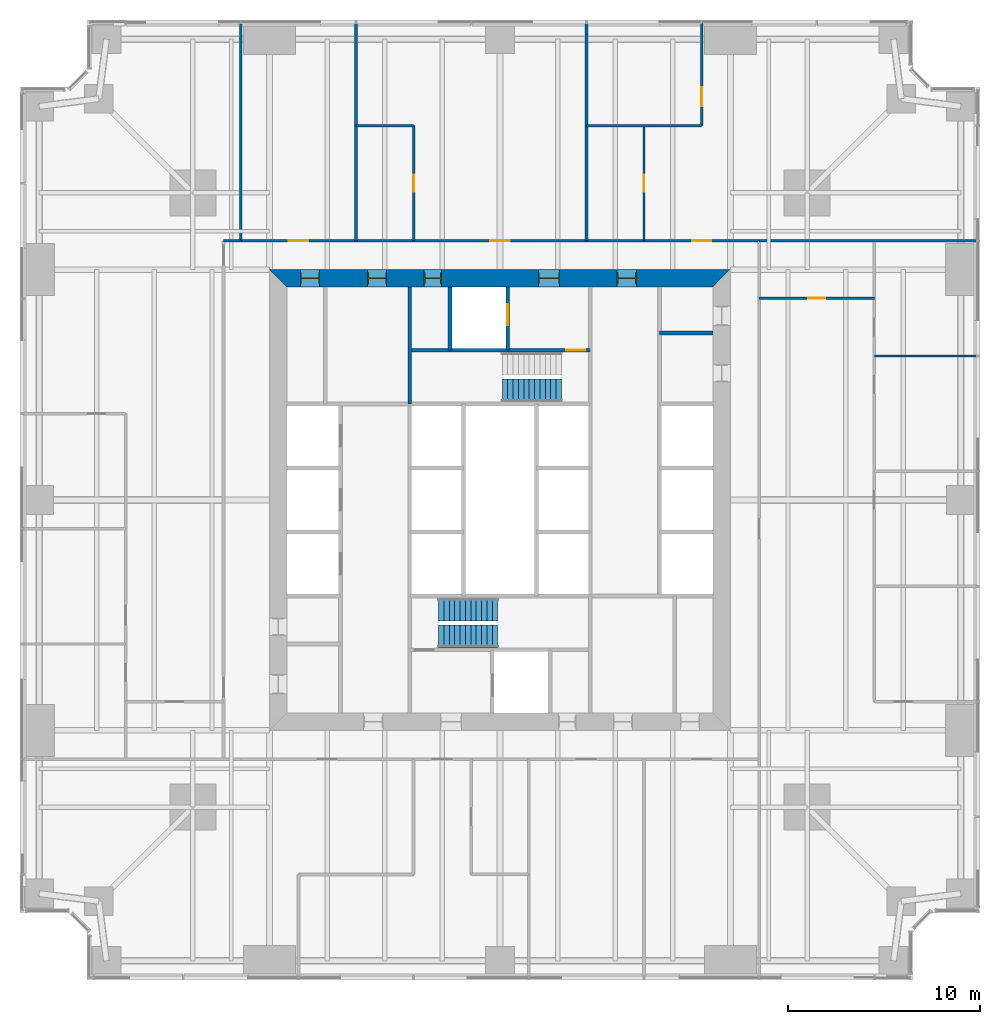
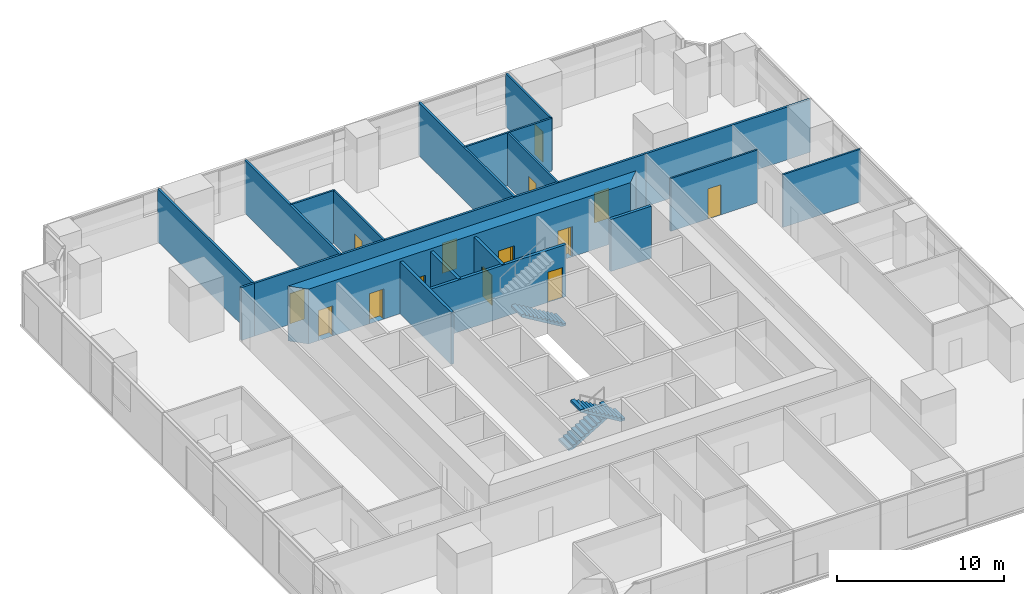
# One storey, part 11 of 14: 19 walls, 14 doors, 3 stair flights, 14 openings, 2 elements without a shape of their own.
"""IFC4 building model written with IfcOpenShell, lengths in metres."""

from ifc_helpers import new_model, si_unit, direction, frame, frame_2d, origin, place, context, subcontext, project, spatial, polyline, rectangle, outline, extrude, material, layer, layer_set, type_object, element, fill, aggregate, save


model = new_model("IFC4")

# Units and contexts
model_context = context("Model", 3, precision=1e-05, world=origin(), true_north=direction((0.0, 1.0)))
body_context = subcontext(model_context, "Body", "Model", "MODEL_VIEW")
ifc_project = project(units=[si_unit("LENGTHUNIT", "METRE"), si_unit("AREAUNIT", "SQUARE_METRE"), si_unit("VOLUMEUNIT", "CUBIC_METRE"), si_unit("PLANEANGLEUNIT", "RADIAN"), si_unit("MASSUNIT", "GRAM", prefix="KILO")], contexts=[model_context])

# Site, building, storey
site_placement = place(None, origin())
site = spatial("IfcSite", under=ifc_project, at=site_placement, CompositionType="ELEMENT")
building_placement = place(site_placement, origin())
building = spatial("IfcBuilding", under=site, at=building_placement, Name="Fenwick Lantern Interchange", CompositionType="ELEMENT")
storey_placement = place(building_placement, frame((0.0, 0.0, 35.0)))
storey = spatial("IfcBuildingStorey", under=building, at=storey_placement, Name="L07", CompositionType="ELEMENT", Elevation=35.0)

# Wall, opening, door
ifc_material_1 = material(Name="Concrete masonry ASTM C90 Grade N", Category="masonry")
ifc_layer_1 = layer(ifc_material_1, 0.199951171875)
ifc_layer_set_1 = layer_set([ifc_layer_1], Name="Concrete masonry ASTM C90 Grade N")
wall_type_1 = type_object("IfcWallType", Name="CORE PARTITION 200", PredefinedType="PARTITIONING", material=ifc_layer_set_1)
wall_1_placement = place(storey_placement, frame((25.39990234375, 36.10009765625, 0.0), z_axis=(0.0, 0.0, 1.0), x_axis=(0.0, -1.0, 0.0)))
wall_1 = element("IfcWall", 1, at=wall_1_placement, inside=storey, type_object=wall_type_1, Name="L07/W/COREN/h1", PredefinedType="PARTITIONING", context=body_context, shape_type="SweptSolid", body=[
    extrude(rectangle(XDim=3.300048828125, YDim=0.199951171875, at=frame_2d((1.64990234375, 0.0))), origin(), (0.0, 0.0, 1.0), 3.800048828125),
])
opening_1_placement = place(wall_1_placement, frame((0.89990234375, 0.0, 0.0)))
opening_1 = element("IfcOpeningElement", 2, at=opening_1_placement, cuts=wall_1, Name="Opening LD-FL2", PredefinedType="OPENING", context=body_context, shape_type="SweptSolid", body=[
    extrude(rectangle(XDim=1.10009765625, YDim=2.199951171875, at=frame_2d((0.550048828125, 1.10009765625))), frame((0.0, 0.10986328125, 0.0), z_axis=(0.0, -1.0, 0.0), x_axis=(1.0, 0.0, 0.0)), (0.0, 0.0, 1.0), 0.219970703125),
])
ifc_material_2 = material(Name="Steel door and frame", Category="steel")
door_type_1 = type_object("IfcDoorType", Name="LIFT LANDING DOOR 1100 X 2200", OperationType="DOUBLE_DOOR_SLIDING", PredefinedType="DOOR", material=ifc_material_2)
door_1_placement = place(opening_1_placement, origin())
door_1 = element("IfcDoor", 3, at=door_1_placement, inside=storey, type_object=door_type_1, Name="Lift landing door FL2", OperationType="DOUBLE_DOOR_SLIDING", OverallHeight=2.199951171875, OverallWidth=1.10009765625, PredefinedType="DOOR", context=body_context, shape_type="SweptSolid", body=[
    extrude(rectangle(XDim=1.10009765625, YDim=2.199951171875, at=frame_2d((0.550048828125, 1.10009765625))), frame((0.0, 0.02490234375, 0.0), z_axis=(0.0, -1.0, 0.0), x_axis=(1.0, 0.0, 0.0)), (0.0, 0.0, 1.0), 0.050048828125),
])
fill(opening_1, door_1)

# Walls
wall_2_placement = place(storey_placement, frame((22.39990234375, 36.10009765625, 0.0), z_axis=(0.0, 0.0, 1.0), x_axis=(0.0, -1.0, 0.0)))
element("IfcWall", 4, at=wall_2_placement, inside=storey, type_object=wall_type_1, Name="L07/W/COREN/h2", PredefinedType="PARTITIONING", context=body_context, shape_type="SweptSolid", body=[
    extrude(rectangle(XDim=3.300048828125, YDim=0.199951171875, at=frame_2d((1.64990234375, 0.0))), origin(), (0.0, 0.0, 1.0), 3.800048828125),
])
wall_3_placement = place(storey_placement, frame((36.10009765625, 33.699951171875, 0.0), z_axis=(0.0, 0.0, 1.0), x_axis=(-1.0, 0.0, 0.0)))
element("IfcWall", 5, at=wall_3_placement, inside=storey, type_object=wall_type_1, Name="L07/W/COREN/p1", PredefinedType="PARTITIONING", context=body_context, shape_type="SweptSolid", body=[
    extrude(rectangle(XDim=2.800048828125, YDim=0.199951171875, at=frame_2d((1.39990234375, 0.0))), origin(), (0.0, 0.0, 1.0), 3.800048828125),
])

# Wall, openings, doors
ifc_material_3 = material(Name="Concrete f'c 70 MPa", Category="concrete")
ifc_layer_2 = layer(ifc_material_3, 0.89990234375)
ifc_layer_set_2 = layer_set([ifc_layer_2], Name="CORE WALL 900")
wall_type_2 = type_object("IfcWallType", Name="CORE WALL 900", PredefinedType="SHEAR", material=ifc_layer_set_2)
wall_4_placement = place(storey_placement, frame((37.0, 36.550048828125, 0.0), z_axis=(0.0, 0.0, 1.0), x_axis=(-1.0, 0.0, 0.0)))
wall_4 = element("IfcWall", 6, at=wall_4_placement, inside=storey, type_object=wall_type_2, Name="L07/CORE/N", PredefinedType="SHEAR", context=body_context, shape_type="SweptSolid", body=[
    extrude(outline(polyline([(0.0, -0.449951171875), (24.0, -0.449951171875), (23.10009765625, 0.449951171875), (0.89990234375, 0.449951171875), (0.0, -0.449951171875)])), origin(), (0.0, 0.0, 1.0), 4.0),
])
opening_2_placement = place(wall_4_placement, frame((4.89990234375, 0.0, 0.0)))
opening_2 = element("IfcOpeningElement", 7, at=opening_2_placement, cuts=wall_4, Name="Opening L07-D009", PredefinedType="OPENING", context=body_context, shape_type="SweptSolid", body=[
    extrude(rectangle(XDim=1.0, YDim=2.199951171875, at=frame_2d((0.5, 1.10009765625))), frame((0.0, 0.4599609375, 0.0), z_axis=(0.0, -1.0, 0.0), x_axis=(1.0, 0.0, 0.0)), (0.0, 0.0, 1.0), 0.919921875),
])
opening_3_placement = place(wall_4_placement, frame((8.89990234375, 0.0, 0.0)))
opening_3 = element("IfcOpeningElement", 8, at=opening_3_placement, cuts=wall_4, Name="Opening L07-D010", PredefinedType="OPENING", context=body_context, shape_type="SweptSolid", body=[
    extrude(rectangle(XDim=1.10009765625, YDim=2.199951171875, at=frame_2d((0.550048828125, 1.10009765625))), frame((0.0, 0.4599609375, 0.0), z_axis=(0.0, -1.0, 0.0), x_axis=(1.0, 0.0, 0.0)), (0.0, 0.0, 1.0), 0.919921875),
])
opening_4_placement = place(wall_4_placement, frame((15.050048828125, 0.0, 0.0)))
opening_4 = element("IfcOpeningElement", 9, at=opening_4_placement, cuts=wall_4, Name="Opening L07-D012", PredefinedType="OPENING", context=body_context, shape_type="SweptSolid", body=[
    extrude(rectangle(XDim=0.89990234375, YDim=2.199951171875, at=frame_2d((0.449951171875, 1.10009765625))), frame((0.0, 0.4599609375, 0.0), z_axis=(0.0, -1.0, 0.0), x_axis=(1.0, 0.0, 0.0)), (0.0, 0.0, 1.0), 0.919921875),
])
opening_5_placement = place(wall_4_placement, frame((17.89990234375, 0.0, 0.0)))
opening_5 = element("IfcOpeningElement", 10, at=opening_5_placement, cuts=wall_4, Name="Opening L07-D013", PredefinedType="OPENING", context=body_context, shape_type="SweptSolid", body=[
    extrude(rectangle(XDim=1.0, YDim=2.199951171875, at=frame_2d((0.5, 1.10009765625))), frame((0.0, 0.4599609375, 0.0), z_axis=(0.0, -1.0, 0.0), x_axis=(1.0, 0.0, 0.0)), (0.0, 0.0, 1.0), 0.919921875),
])
opening_6_placement = place(wall_4_placement, frame((21.39990234375, 0.0, 0.0)))
opening_6 = element("IfcOpeningElement", 11, at=opening_6_placement, cuts=wall_4, Name="Opening L07-D014", PredefinedType="OPENING", context=body_context, shape_type="SweptSolid", body=[
    extrude(rectangle(XDim=1.0, YDim=2.199951171875, at=frame_2d((0.5, 1.10009765625))), frame((0.0, 0.4599609375, 0.0), z_axis=(0.0, -1.0, 0.0), x_axis=(1.0, 0.0, 0.0)), (0.0, 0.0, 1.0), 0.919921875),
])
door_type_2 = type_object("IfcDoorType", Name="CORE LOBBY DOOR 1000 X 2200", OperationType="SINGLE_SWING_LEFT", PredefinedType="DOOR", material=ifc_material_2)
door_2_placement = place(opening_2_placement, origin())
door_2 = element("IfcDoor", 12, at=door_2_placement, inside=storey, type_object=door_type_2, Name="Core lobby door", OperationType="SINGLE_SWING_LEFT", OverallHeight=2.199951171875, OverallWidth=1.0, PredefinedType="DOOR", context=body_context, shape_type="SweptSolid", body=[
    extrude(rectangle(XDim=1.0, YDim=2.199951171875, at=frame_2d((0.5, 1.10009765625))), frame((0.0, 0.02490234375, 0.0), z_axis=(0.0, -1.0, 0.0), x_axis=(1.0, 0.0, 0.0)), (0.0, 0.0, 1.0), 0.050048828125),
    extrude(outline(polyline([(0.0, 0.0), (0.0400390625, 0.0), (0.0400390625, 2.159912109375), (0.9599609375, 2.159912109375), (0.9599609375, 0.0), (1.0, 0.0), (1.0, 2.199951171875), (0.0, 2.199951171875), (0.0, 0.0)])), frame((0.0, 0.300048828125, 0.0), z_axis=(0.0, -1.0, 0.0), x_axis=(1.0, 0.0, 0.0)), (0.0, 0.0, 1.0), 0.60009765625),
])
fill(opening_2, door_2)
door_type_3 = type_object("IfcDoorType", Name="FIRE LOBBY DOOR 1100 X 2200", OperationType="SINGLE_SWING_LEFT", PredefinedType="DOOR", material=ifc_material_2)
door_3_placement = place(opening_3_placement, origin())
door_3 = element("IfcDoor", 13, at=door_3_placement, inside=storey, type_object=door_type_3, Name="Fire lobby door", OperationType="SINGLE_SWING_LEFT", OverallHeight=2.199951171875, OverallWidth=1.10009765625, PredefinedType="DOOR", context=body_context, shape_type="SweptSolid", body=[
    extrude(rectangle(XDim=1.10009765625, YDim=2.199951171875, at=frame_2d((0.550048828125, 1.10009765625))), frame((0.0, 0.02490234375, 0.0), z_axis=(0.0, -1.0, 0.0), x_axis=(1.0, 0.0, 0.0)), (0.0, 0.0, 1.0), 0.050048828125),
    extrude(outline(polyline([(0.0, 0.0), (0.0400390625, 0.0), (0.0400390625, 2.159912109375), (1.06005859375, 2.159912109375), (1.06005859375, 0.0), (1.10009765625, 0.0), (1.10009765625, 2.199951171875), (0.0, 2.199951171875), (0.0, 0.0)])), frame((0.0, 0.300048828125, 0.0), z_axis=(0.0, -1.0, 0.0), x_axis=(1.0, 0.0, 0.0)), (0.0, 0.0, 1.0), 0.60009765625),
])
fill(opening_3, door_3)
door_type_4 = type_object("IfcDoorType", Name="SERVICE DOOR 900 X 2200", OperationType="SINGLE_SWING_LEFT", PredefinedType="DOOR", material=ifc_material_2)
door_4_placement = place(opening_4_placement, origin())
door_4 = element("IfcDoor", 14, at=door_4_placement, inside=storey, type_object=door_type_4, Name="Service door", OperationType="SINGLE_SWING_LEFT", OverallHeight=2.199951171875, OverallWidth=0.89990234375, PredefinedType="DOOR", context=body_context, shape_type="SweptSolid", body=[
    extrude(rectangle(XDim=0.89990234375, YDim=2.199951171875, at=frame_2d((0.449951171875, 1.10009765625))), frame((0.0, 0.02490234375, 0.0), z_axis=(0.0, -1.0, 0.0), x_axis=(1.0, 0.0, 0.0)), (0.0, 0.0, 1.0), 0.050048828125),
    extrude(outline(polyline([(0.0, 0.0), (0.0400390625, 0.0), (0.0400390625, 2.159912109375), (0.85986328125, 2.159912109375), (0.85986328125, 0.0), (0.89990234375, 0.0), (0.89990234375, 2.199951171875), (0.0, 2.199951171875), (0.0, 0.0)])), frame((0.0, 0.300048828125, 0.0), z_axis=(0.0, -1.0, 0.0), x_axis=(1.0, 0.0, 0.0)), (0.0, 0.0, 1.0), 0.60009765625),
])
fill(opening_4, door_4)
ifc_material_4 = material(Name="Hardwood door and steel frame", Category="steel")
door_type_5 = type_object("IfcDoorType", Name="WC DOOR 1000 X 2200", OperationType="SINGLE_SWING_LEFT", PredefinedType="DOOR", material=ifc_material_4)
door_5_placement = place(opening_5_placement, origin())
door_5 = element("IfcDoor", 15, at=door_5_placement, inside=storey, type_object=door_type_5, Name="Wc door", OperationType="SINGLE_SWING_LEFT", OverallHeight=2.199951171875, OverallWidth=1.0, PredefinedType="DOOR", context=body_context, shape_type="SweptSolid", body=[
    extrude(rectangle(XDim=1.0, YDim=2.199951171875, at=frame_2d((0.5, 1.10009765625))), frame((0.0, 0.02490234375, 0.0), z_axis=(0.0, -1.0, 0.0), x_axis=(1.0, 0.0, 0.0)), (0.0, 0.0, 1.0), 0.050048828125),
    extrude(outline(polyline([(0.0, 0.0), (0.0400390625, 0.0), (0.0400390625, 2.159912109375), (0.9599609375, 2.159912109375), (0.9599609375, 0.0), (1.0, 0.0), (1.0, 2.199951171875), (0.0, 2.199951171875), (0.0, 0.0)])), frame((0.0, 0.300048828125, 0.0), z_axis=(0.0, -1.0, 0.0), x_axis=(1.0, 0.0, 0.0)), (0.0, 0.0, 1.0), 0.60009765625),
])
fill(opening_5, door_5)
door_6_placement = place(opening_6_placement, origin())
door_6 = element("IfcDoor", 16, at=door_6_placement, inside=storey, type_object=door_type_5, Name="Wc door", OperationType="SINGLE_SWING_LEFT", OverallHeight=2.199951171875, OverallWidth=1.0, PredefinedType="DOOR", context=body_context, shape_type="SweptSolid", body=[
    extrude(rectangle(XDim=1.0, YDim=2.199951171875, at=frame_2d((0.5, 1.10009765625))), frame((0.0, 0.02490234375, 0.0), z_axis=(0.0, -1.0, 0.0), x_axis=(1.0, 0.0, 0.0)), (0.0, 0.0, 1.0), 0.050048828125),
    extrude(outline(polyline([(0.0, 0.0), (0.0400390625, 0.0), (0.0400390625, 2.159912109375), (0.9599609375, 2.159912109375), (0.9599609375, 0.0), (1.0, 0.0), (1.0, 2.199951171875), (0.0, 2.199951171875), (0.0, 0.0)])), frame((0.0, 0.300048828125, 0.0), z_axis=(0.0, -1.0, 0.0), x_axis=(1.0, 0.0, 0.0)), (0.0, 0.0, 1.0), 0.60009765625),
])
fill(opening_6, door_6)

ifc_material_5 = material(Name="Gypsum board on steel studs, 1 hour", Category="steel")
ifc_layer_3 = layer(ifc_material_5, 0.14990234375)
ifc_layer_set_3 = layer_set([ifc_layer_3], Name="CORRIDOR WALL 150")
wall_type_3 = type_object("IfcWallType", Name="CORRIDOR WALL 150", PredefinedType="PARTITIONING", material=ifc_layer_set_3)
wall_5_placement = place(storey_placement, frame((38.5, 38.5, 0.0), z_axis=(0.0, 0.0, 1.0), x_axis=(-1.0, 0.0, 0.0)))
wall_5 = element("IfcWall", 17, at=wall_5_placement, inside=storey, type_object=wall_type_3, Name="L07/W/OFF/N/CW", PredefinedType="PARTITIONING", context=body_context, shape_type="SweptSolid", body=[
    extrude(rectangle(XDim=27.0, YDim=0.14990234375, at=frame_2d((13.5, 0.0))), origin(), (0.0, 0.0, 1.0), 3.85009765625),
])
opening_7_placement = place(wall_5_placement, frame((2.5, 0.0, 0.0)))
opening_7 = element("IfcOpeningElement", 18, at=opening_7_placement, cuts=wall_5, Name="Opening L07-D028", PredefinedType="OPENING", context=body_context, shape_type="SweptSolid", body=[
    extrude(rectangle(XDim=1.0, YDim=2.199951171875, at=frame_2d((0.5, 1.10009765625))), frame((0.0, 0.0849609375, 0.0), z_axis=(0.0, -1.0, 0.0), x_axis=(1.0, 0.0, 0.0)), (0.0, 0.0, 1.0), 0.169921875),
])
opening_8_placement = place(wall_5_placement, frame((13.0, 0.0, 0.0)))
opening_8 = element("IfcOpeningElement", 19, at=opening_8_placement, cuts=wall_5, Name="Opening L07-D031", PredefinedType="OPENING", context=body_context, shape_type="SweptSolid", body=[
    extrude(rectangle(XDim=1.0, YDim=2.199951171875, at=frame_2d((0.5, 1.10009765625))), frame((0.0, 0.0849609375, 0.0), z_axis=(0.0, -1.0, 0.0), x_axis=(1.0, 0.0, 0.0)), (0.0, 0.0, 1.0), 0.169921875),
])
opening_9_placement = place(wall_5_placement, frame((23.5, 0.0, 0.0)))
opening_9 = element("IfcOpeningElement", 20, at=opening_9_placement, cuts=wall_5, Name="Opening L07-D033", PredefinedType="OPENING", context=body_context, shape_type="SweptSolid", body=[
    extrude(rectangle(XDim=1.0, YDim=2.199951171875, at=frame_2d((0.5, 1.10009765625))), frame((0.0, 0.0849609375, 0.0), z_axis=(0.0, -1.0, 0.0), x_axis=(1.0, 0.0, 0.0)), (0.0, 0.0, 1.0), 0.169921875),
])
door_type_6 = type_object("IfcDoorType", Name="SUITE ENTRANCE DOOR 1000 X 2200", OperationType="SINGLE_SWING_LEFT", PredefinedType="DOOR", material=ifc_material_2)
door_7_placement = place(opening_7_placement, frame((1.0, 0.0, 0.0), z_axis=(0.0, 0.0, 1.0), x_axis=(-1.0, 0.0, 0.0)))
door_7 = element("IfcDoor", 21, at=door_7_placement, inside=storey, type_object=door_type_6, Name="Suite entrance door", OperationType="SINGLE_SWING_LEFT", OverallHeight=2.199951171875, OverallWidth=1.0, PredefinedType="DOOR", context=body_context, shape_type="SweptSolid", body=[
    extrude(rectangle(XDim=1.0, YDim=2.199951171875, at=frame_2d((0.5, 1.10009765625))), frame((0.0, 0.02490234375, 0.0), z_axis=(0.0, -1.0, 0.0), x_axis=(1.0, 0.0, 0.0)), (0.0, 0.0, 1.0), 0.050048828125),
])
fill(opening_7, door_7)
door_8_placement = place(opening_8_placement, frame((1.0, 0.0, 0.0), z_axis=(0.0, 0.0, 1.0), x_axis=(-1.0, 0.0, 0.0)))
door_8 = element("IfcDoor", 22, at=door_8_placement, inside=storey, type_object=door_type_6, Name="Suite entrance door", OperationType="SINGLE_SWING_RIGHT", OverallHeight=2.199951171875, OverallWidth=1.0, PredefinedType="DOOR", context=body_context, shape_type="SweptSolid", body=[
    extrude(rectangle(XDim=1.0, YDim=2.199951171875, at=frame_2d((0.5, 1.10009765625))), frame((0.0, 0.02490234375, 0.0), z_axis=(0.0, -1.0, 0.0), x_axis=(1.0, 0.0, 0.0)), (0.0, 0.0, 1.0), 0.050048828125),
])
fill(opening_8, door_8)
door_9_placement = place(opening_9_placement, frame((1.0, 0.0, 0.0), z_axis=(0.0, 0.0, 1.0), x_axis=(-1.0, 0.0, 0.0)))
door_9 = element("IfcDoor", 23, at=door_9_placement, inside=storey, type_object=door_type_6, Name="Suite entrance door", OperationType="SINGLE_SWING_RIGHT", OverallHeight=2.199951171875, OverallWidth=1.0, PredefinedType="DOOR", context=body_context, shape_type="SweptSolid", body=[
    extrude(rectangle(XDim=1.0, YDim=2.199951171875, at=frame_2d((0.5, 1.10009765625))), frame((0.0, 0.02490234375, 0.0), z_axis=(0.0, -1.0, 0.0), x_axis=(1.0, 0.0, 0.0)), (0.0, 0.0, 1.0), 0.050048828125),
])
fill(opening_9, door_9)

# Walls
wall_6_placement = place(storey_placement, frame((11.5, 38.5, 0.0), z_axis=(0.0, 0.0, 1.0), x_axis=(-1.0, 0.0, 0.0)))
element("IfcWall", 24, at=wall_6_placement, inside=storey, type_object=wall_type_3, Name="L07/W/OFF/W/CWJ", PredefinedType="PARTITIONING", context=body_context, shape_type="SweptSolid", body=[
    extrude(rectangle(XDim=0.89990234375, YDim=0.14990234375, at=frame_2d((0.449951171875, 0.0))), origin(), (0.0, 0.0, 1.0), 3.85009765625),
])
ifc_material_6 = material(Name="Gypsum board on steel studs, acoustic", Category="steel")
ifc_layer_4 = layer(ifc_material_6, 0.125)
ifc_layer_set_4 = layer_set([ifc_layer_4], Name="OFFICE PARTITION 125")
wall_type_4 = type_object("IfcWallType", Name="OFFICE PARTITION 125", PredefinedType="PARTITIONING", material=ifc_layer_set_4)
wall_7_placement = place(storey_placement, frame((49.85009765625, 32.5, 0.0), z_axis=(0.0, 0.0, 1.0), x_axis=(-1.0, 0.0, 0.0)))
element("IfcWall", 25, at=wall_7_placement, inside=storey, type_object=wall_type_4, Name="L07/W/OFF/E/X325-1", PredefinedType="PARTITIONING", context=body_context, shape_type="SweptSolid", body=[
    extrude(rectangle(XDim=5.35009765625, YDim=0.125, at=frame_2d((2.675048828125, 0.0))), origin(), (0.0, 0.0, 1.0), 3.85009765625),
])

# Wall, opening, door
wall_8_placement = place(storey_placement, frame((44.5, 35.5, 0.0), z_axis=(0.0, 0.0, 1.0), x_axis=(-1.0, 0.0, 0.0)))
wall_8 = element("IfcWall", 26, at=wall_8_placement, inside=storey, type_object=wall_type_4, Name="L07/W/OFF/E/X355-1", PredefinedType="PARTITIONING", context=body_context, shape_type="SweptSolid", body=[
    extrude(rectangle(XDim=6.0, YDim=0.125, at=frame_2d((3.0, 0.0))), origin(), (0.0, 0.0, 1.0), 3.85009765625),
])
opening_10_placement = place(wall_8_placement, frame((2.550048828125, 0.0, 0.0)))
opening_10 = element("IfcOpeningElement", 27, at=opening_10_placement, cuts=wall_8, Name="Opening L07-D027", PredefinedType="OPENING", context=body_context, shape_type="SweptSolid", body=[
    extrude(rectangle(XDim=0.89990234375, YDim=2.199951171875, at=frame_2d((0.449951171875, 1.10009765625))), frame((0.0, 0.072509765625, 0.0), z_axis=(0.0, -1.0, 0.0), x_axis=(1.0, 0.0, 0.0)), (0.0, 0.0, 1.0), 0.14501953125),
])
door_type_7 = type_object("IfcDoorType", Name="OFFICE DOOR 900 X 2200", OperationType="SINGLE_SWING_LEFT", PredefinedType="DOOR", material=ifc_material_4)
door_10_placement = place(opening_10_placement, frame((0.89990234375, 0.0, 0.0), z_axis=(0.0, 0.0, 1.0), x_axis=(-1.0, 0.0, 0.0)))
door_10 = element("IfcDoor", 28, at=door_10_placement, inside=storey, type_object=door_type_7, Name="Office door", OperationType="SINGLE_SWING_RIGHT", OverallHeight=2.199951171875, OverallWidth=0.89990234375, PredefinedType="DOOR", context=body_context, shape_type="SweptSolid", body=[
    extrude(rectangle(XDim=0.89990234375, YDim=2.199951171875, at=frame_2d((0.449951171875, 1.10009765625))), frame((0.0, 0.02490234375, 0.0), z_axis=(0.0, -1.0, 0.0), x_axis=(1.0, 0.0, 0.0)), (0.0, 0.0, 1.0), 0.050048828125),
])
fill(opening_10, door_10)

wall_9_placement = place(storey_placement, frame((35.5, 49.85009765625, 0.0), z_axis=(0.0, 0.0, 1.0), x_axis=(0.0, -1.0, 0.0)))
wall_9 = element("IfcWall", 29, at=wall_9_placement, inside=storey, type_object=wall_type_4, Name="L07/W/OFF/N/X145-1", PredefinedType="PARTITIONING", context=body_context, shape_type="SweptSolid", body=[
    extrude(rectangle(XDim=5.35009765625, YDim=0.125, at=frame_2d((2.675048828125, 0.0))), origin(), (0.0, 0.0, 1.0), 3.85009765625),
])
opening_11_placement = place(wall_9_placement, frame((3.35009765625, 0.0, 0.0)))
opening_11 = element("IfcOpeningElement", 30, at=opening_11_placement, cuts=wall_9, Name="Opening L07-D029", PredefinedType="OPENING", context=body_context, shape_type="SweptSolid", body=[
    extrude(rectangle(XDim=1.0, YDim=2.199951171875, at=frame_2d((0.5, 1.10009765625))), frame((0.0, 0.072509765625, 0.0), z_axis=(0.0, -1.0, 0.0), x_axis=(1.0, 0.0, 0.0)), (0.0, 0.0, 1.0), 0.14501953125),
])
door_type_8 = type_object("IfcDoorType", Name="MEETING ROOM DOOR 1000 X 2200", OperationType="SINGLE_SWING_LEFT", PredefinedType="DOOR", material=ifc_material_4)
door_11_placement = place(opening_11_placement, frame((1.0, 0.0, 0.0), z_axis=(0.0, 0.0, 1.0), x_axis=(-1.0, 0.0, 0.0)))
door_11 = element("IfcDoor", 31, at=door_11_placement, inside=storey, type_object=door_type_8, Name="Meeting room door", OperationType="SINGLE_SWING_LEFT", OverallHeight=2.199951171875, OverallWidth=1.0, PredefinedType="DOOR", context=body_context, shape_type="SweptSolid", body=[
    extrude(rectangle(XDim=1.0, YDim=2.199951171875, at=frame_2d((0.5, 1.10009765625))), frame((0.0, 0.02490234375, 0.0), z_axis=(0.0, -1.0, 0.0), x_axis=(1.0, 0.0, 0.0)), (0.0, 0.0, 1.0), 0.050048828125),
])
fill(opening_11, door_11)

wall_10_placement = place(storey_placement, frame((32.5, 44.5, 0.0), z_axis=(0.0, 0.0, 1.0), x_axis=(0.0, -1.0, 0.0)))
wall_10 = element("IfcWall", 32, at=wall_10_placement, inside=storey, type_object=wall_type_4, Name="L07/W/OFF/N/X175-1", PredefinedType="PARTITIONING", context=body_context, shape_type="SweptSolid", body=[
    extrude(rectangle(XDim=6.0, YDim=0.125, at=frame_2d((3.0, 0.0))), origin(), (0.0, 0.0, 1.0), 3.85009765625),
])
opening_12_placement = place(wall_10_placement, frame((2.550048828125, 0.0, 0.0)))
opening_12 = element("IfcOpeningElement", 33, at=opening_12_placement, cuts=wall_10, Name="Opening L07-D030", PredefinedType="OPENING", context=body_context, shape_type="SweptSolid", body=[
    extrude(rectangle(XDim=0.89990234375, YDim=2.199951171875, at=frame_2d((0.449951171875, 1.10009765625))), frame((0.0, 0.072509765625, 0.0), z_axis=(0.0, -1.0, 0.0), x_axis=(1.0, 0.0, 0.0)), (0.0, 0.0, 1.0), 0.14501953125),
])
door_12_placement = place(opening_12_placement, frame((0.89990234375, 0.0, 0.0), z_axis=(0.0, 0.0, 1.0), x_axis=(-1.0, 0.0, 0.0)))
door_12 = element("IfcDoor", 34, at=door_12_placement, inside=storey, type_object=door_type_7, Name="Office door", OperationType="SINGLE_SWING_RIGHT", OverallHeight=2.199951171875, OverallWidth=0.89990234375, PredefinedType="DOOR", context=body_context, shape_type="SweptSolid", body=[
    extrude(rectangle(XDim=0.89990234375, YDim=2.199951171875, at=frame_2d((0.449951171875, 1.10009765625))), frame((0.0, 0.02490234375, 0.0), z_axis=(0.0, -1.0, 0.0), x_axis=(1.0, 0.0, 0.0)), (0.0, 0.0, 1.0), 0.050048828125),
])
fill(opening_12, door_12)

wall_11_placement = place(storey_placement, frame((20.5, 44.5, 0.0), z_axis=(0.0, 0.0, 1.0), x_axis=(0.0, -1.0, 0.0)))
wall_11 = element("IfcWall", 35, at=wall_11_placement, inside=storey, type_object=wall_type_4, Name="L07/W/OFF/N/X295-1", PredefinedType="PARTITIONING", context=body_context, shape_type="SweptSolid", body=[
    extrude(rectangle(XDim=6.0, YDim=0.125, at=frame_2d((3.0, 0.0))), origin(), (0.0, 0.0, 1.0), 3.85009765625),
])
opening_13_placement = place(wall_11_placement, frame((2.550048828125, 0.0, 0.0)))
opening_13 = element("IfcOpeningElement", 36, at=opening_13_placement, cuts=wall_11, Name="Opening L07-D032", PredefinedType="OPENING", context=body_context, shape_type="SweptSolid", body=[
    extrude(rectangle(XDim=0.89990234375, YDim=2.199951171875, at=frame_2d((0.449951171875, 1.10009765625))), frame((0.0, 0.072509765625, 0.0), z_axis=(0.0, -1.0, 0.0), x_axis=(1.0, 0.0, 0.0)), (0.0, 0.0, 1.0), 0.14501953125),
])
door_13_placement = place(opening_13_placement, frame((0.89990234375, 0.0, 0.0), z_axis=(0.0, 0.0, 1.0), x_axis=(-1.0, 0.0, 0.0)))
door_13 = element("IfcDoor", 37, at=door_13_placement, inside=storey, type_object=door_type_7, Name="Office door", OperationType="SINGLE_SWING_RIGHT", OverallHeight=2.199951171875, OverallWidth=0.89990234375, PredefinedType="DOOR", context=body_context, shape_type="SweptSolid", body=[
    extrude(rectangle(XDim=0.89990234375, YDim=2.199951171875, at=frame_2d((0.449951171875, 1.10009765625))), frame((0.0, 0.02490234375, 0.0), z_axis=(0.0, -1.0, 0.0), x_axis=(1.0, 0.0, 0.0)), (0.0, 0.0, 1.0), 0.050048828125),
])
fill(opening_13, door_13)

# Walls
wall_12_placement = place(storey_placement, frame((35.5, 44.5, 0.0), z_axis=(0.0, 0.0, 1.0), x_axis=(-1.0, 0.0, 0.0)))
element("IfcWall", 38, at=wall_12_placement, inside=storey, type_object=wall_type_4, Name="L07/W/OFF/N/Y55-1", PredefinedType="PARTITIONING", context=body_context, shape_type="SweptSolid", body=[
    extrude(rectangle(XDim=6.0, YDim=0.125, at=frame_2d((3.0, 0.0))), origin(), (0.0, 0.0, 1.0), 3.85009765625),
])
wall_13_placement = place(storey_placement, frame((20.5, 44.5, 0.0), z_axis=(0.0, 0.0, 1.0), x_axis=(-1.0, 0.0, 0.0)))
element("IfcWall", 39, at=wall_13_placement, inside=storey, type_object=wall_type_4, Name="L07/W/OFF/N/Y55-2", PredefinedType="PARTITIONING", context=body_context, shape_type="SweptSolid", body=[
    extrude(rectangle(XDim=3.0, YDim=0.125, at=frame_2d((1.5, 0.0))), origin(), (0.0, 0.0, 1.0), 3.85009765625),
])

# Wall, opening, door
ifc_material_7 = material(Name="Concrete f'c 45 MPa", Category="concrete")
ifc_layer_5 = layer(ifc_material_7, 0.199951171875)
ifc_layer_set_5 = layer_set([ifc_layer_5], Name="STAIR CORE WALL 200")
wall_type_5 = type_object("IfcWallType", Name="STAIR CORE WALL 200", PredefinedType="SOLIDWALL", material=ifc_layer_set_5)
wall_14_placement = place(storey_placement, frame((29.699951171875, 32.800048828125, 0.0), z_axis=(0.0, 0.0, 1.0), x_axis=(-1.0, 0.0, 0.0)))
wall_14 = element("IfcWall", 40, at=wall_14_placement, inside=storey, type_object=wall_type_5, Name="L07/W/COREN/g1", PredefinedType="SOLIDWALL", context=body_context, shape_type="SweptSolid", body=[
    extrude(rectangle(XDim=9.39990234375, YDim=0.199951171875, at=frame_2d((4.699951171875, 0.0))), origin(), (0.0, 0.0, 1.0), 3.800048828125),
])
opening_14_placement = place(wall_14_placement, frame((0.25, 0.0, 0.0)))
opening_14 = element("IfcOpeningElement", 41, at=opening_14_placement, cuts=wall_14, Name="Opening L07-D011", PredefinedType="OPENING", context=body_context, shape_type="SweptSolid", body=[
    extrude(rectangle(XDim=1.0, YDim=2.199951171875, at=frame_2d((0.5, 1.10009765625))), frame((0.0, 0.10986328125, 0.0), z_axis=(0.0, -1.0, 0.0), x_axis=(1.0, 0.0, 0.0)), (0.0, 0.0, 1.0), 0.219970703125),
])
door_type_9 = type_object("IfcDoorType", Name="STAIR DOOR 1000 X 2200", OperationType="SINGLE_SWING_LEFT", PredefinedType="DOOR", material=ifc_material_2)
door_14_placement = place(opening_14_placement, origin())
door_14 = element("IfcDoor", 42, at=door_14_placement, inside=storey, type_object=door_type_9, Name="Stair door", OperationType="SINGLE_SWING_LEFT", OverallHeight=2.199951171875, OverallWidth=1.0, PredefinedType="DOOR", context=body_context, shape_type="SweptSolid", body=[
    extrude(rectangle(XDim=1.0, YDim=2.199951171875, at=frame_2d((0.5, 1.10009765625))), frame((0.0, 0.02490234375, 0.0), z_axis=(0.0, -1.0, 0.0), x_axis=(1.0, 0.0, 0.0)), (0.0, 0.0, 1.0), 0.050048828125),
])
fill(opening_14, door_14)

# Walls
wall_15_placement = place(storey_placement, frame((20.300048828125, 36.10009765625, 0.0), z_axis=(0.0, 0.0, 1.0), x_axis=(0.0, -1.0, 0.0)))
element("IfcWall", 43, at=wall_15_placement, inside=storey, type_object=wall_type_5, Name="L07/W/COREN/i1", PredefinedType="SOLIDWALL", context=body_context, shape_type="SweptSolid", body=[
    extrude(rectangle(XDim=6.10009765625, YDim=0.199951171875, at=frame_2d((3.050048828125, 0.0))), origin(), (0.0, 0.0, 1.0), 3.800048828125),
])
ifc_material_8 = material(Name="Gypsum board on steel studs, 1 hour acoustic", Category="steel")
ifc_layer_6 = layer(ifc_material_8, 0.14990234375)
ifc_layer_set_6 = layer_set([ifc_layer_6], Name="TENANT WALL 150")
wall_type_6 = type_object("IfcWallType", Name="TENANT WALL 150", PredefinedType="PARTITIONING", material=ifc_layer_set_6)
for number, where, z_axis, x_axis, name in (
    (44, (49.85009765625, 38.5, 0.0), (0.0, 0.0, 1.0), (-1.0, 0.0, 0.0), "L07/W/OFF/N/BACK"),
    (45, (29.5, 49.85009765625, 0.0), (0.0, 0.0, 1.0), (0.0, -1.0, 0.0), "L07/W/OFF/N/X205-1"),
    (46, (17.5, 49.85009765625, 0.0), (0.0, 0.0, 1.0), (0.0, -1.0, 0.0), "L07/W/OFF/N/X325-1"),
    (47, (11.5, 49.85009765625, 0.0), (0.0, 0.0, 1.0), (0.0, -1.0, 0.0), "L07/W/OFF/W/BACK"),
):
    element("IfcWall", number, at=place(storey_placement, frame(where, z_axis=z_axis, x_axis=x_axis)), inside=storey, type_object=wall_type_6, Name=name, PredefinedType="PARTITIONING", context=body_context, shape_type="SweptSolid", body=[
        extrude(rectangle(XDim=11.35009765625, YDim=0.14990234375, at=frame_2d((5.675048828125, 0.0))), origin(), (0.0, 0.0, 1.0), 3.85009765625),
    ])

# Stair, stair flights
ifc_material_9 = material(Name="Precast concrete f'c 35 MPa", Category="concrete")
stair_type = type_object("IfcStairType", Name="EXIT STAIR 1200", PredefinedType="HALF_TURN_STAIR", material=ifc_material_9)
stair_1_placement = place(storey_placement, origin())
stair_1 = element("IfcStair", 48, at=stair_1_placement, inside=storey, type_object=stair_type, Name="Exit stair ST1", PredefinedType="HALF_TURN_STAIR")
stair_flight_type = type_object("IfcStairFlightType", Name="STAIR FLIGHT 1200", PredefinedType="STRAIGHT", material=ifc_material_9)
stair_flight_1_placement = place(storey_placement, frame((21.800048828125, 19.300048828125, 0.0), z_axis=(0.0, 0.0, 1.0), x_axis=(1.0, 0.0, 0.0)))
stair_flight_1 = element("IfcStairFlight", 49, at=stair_flight_1_placement, type_object=stair_flight_type, Name="ST1 flight 1", NumberOfRisers=12, NumberOfTreads=11, PredefinedType="STRAIGHT", RiserHeight=0.166666667, TreadLength=0.28, context=body_context, shape_type="SweptSolid", body=[
    extrude(outline(polyline([(0.0, 0.0), (0.0, 0.166748046875), (0.280029296875, 0.166748046875), (0.280029296875, 0.333251953125), (0.56005859375, 0.333251953125), (0.56005859375, 0.5), (0.840087890625, 0.5), (0.840087890625, 0.666748046875), (1.1201171875, 0.666748046875), (1.1201171875, 0.833251953125), (1.39990234375, 0.833251953125), (1.39990234375, 1.0), (1.679931640625, 1.0), (1.679931640625, 1.166748046875), (1.9599609375, 1.166748046875), (1.9599609375, 1.333251953125), (2.239990234375, 1.333251953125), (2.239990234375, 1.5), (2.52001953125, 1.5), (2.52001953125, 1.666748046875), (2.800048828125, 1.666748046875), (2.800048828125, 1.833251953125), (3.080078125, 1.833251953125), (3.080078125, 2.0), (3.080078125, 1.658935546875), (0.29296875, 0.0), (0.0, 0.0)])), frame((0.0, 0.60009765625, 0.0), z_axis=(0.0, -1.0, 0.0), x_axis=(1.0, 0.0, 0.0)), (0.0, 0.0, 1.0), 1.199951171875),
])
stair_flight_2_placement = place(storey_placement, frame((24.8798828125, 17.89990234375, 2.0), z_axis=(0.0, 0.0, 1.0), x_axis=(-1.0, 0.0, 0.0)))
stair_flight_2 = element("IfcStairFlight", 50, at=stair_flight_2_placement, type_object=stair_flight_type, Name="ST1 flight 2", NumberOfRisers=12, NumberOfTreads=11, PredefinedType="STRAIGHT", RiserHeight=0.166666667, TreadLength=0.28, context=body_context, shape_type="SweptSolid", body=[
    extrude(outline(polyline([(0.0, 0.0), (0.0, 0.166748046875), (0.280029296875, 0.166748046875), (0.280029296875, 0.333251953125), (0.56005859375, 0.333251953125), (0.56005859375, 0.5), (0.840087890625, 0.5), (0.840087890625, 0.666748046875), (1.1201171875, 0.666748046875), (1.1201171875, 0.833251953125), (1.39990234375, 0.833251953125), (1.39990234375, 1.0), (1.679931640625, 1.0), (1.679931640625, 1.166748046875), (1.9599609375, 1.166748046875), (1.9599609375, 1.333251953125), (2.239990234375, 1.333251953125), (2.239990234375, 1.5), (2.52001953125, 1.5), (2.52001953125, 1.666748046875), (2.800048828125, 1.666748046875), (2.800048828125, 1.833251953125), (3.080078125, 1.833251953125), (3.080078125, 2.0), (3.080078125, 1.658935546875), (0.29296875, 0.0), (0.0, 0.0)])), frame((0.0, 0.60009765625, 0.0), z_axis=(0.0, -1.0, 0.0), x_axis=(1.0, 0.0, 0.0)), (0.0, 0.0, 1.0), 1.199951171875),
])
aggregate(stair_1, [stair_flight_1, stair_flight_2])

# Stair, stair flight
stair_2_placement = place(storey_placement, origin())
stair_2 = element("IfcStair", 51, at=stair_2_placement, inside=storey, type_object=stair_type, Name="Exit stair ST2", PredefinedType="HALF_TURN_STAIR")
stair_flight_3_placement = place(storey_placement, frame((28.199951171875, 30.699951171875, 0.0), z_axis=(0.0, 0.0, 1.0), x_axis=(-1.0, 0.0, 0.0)))
stair_flight_3 = element("IfcStairFlight", 52, at=stair_flight_3_placement, type_object=stair_flight_type, Name="ST2 flight 1", NumberOfRisers=12, NumberOfTreads=11, PredefinedType="STRAIGHT", RiserHeight=0.166666667, TreadLength=0.28, context=body_context, shape_type="SweptSolid", body=[
    extrude(outline(polyline([(0.0, 0.0), (0.0, 0.166748046875), (0.280029296875, 0.166748046875), (0.280029296875, 0.333251953125), (0.56005859375, 0.333251953125), (0.56005859375, 0.5), (0.840087890625, 0.5), (0.840087890625, 0.666748046875), (1.1201171875, 0.666748046875), (1.1201171875, 0.833251953125), (1.39990234375, 0.833251953125), (1.39990234375, 1.0), (1.679931640625, 1.0), (1.679931640625, 1.166748046875), (1.9599609375, 1.166748046875), (1.9599609375, 1.333251953125), (2.239990234375, 1.333251953125), (2.239990234375, 1.5), (2.52001953125, 1.5), (2.52001953125, 1.666748046875), (2.800048828125, 1.666748046875), (2.800048828125, 1.833251953125), (3.080078125, 1.833251953125), (3.080078125, 2.0), (3.080078125, 1.658935546875), (0.29296875, 0.0), (0.0, 0.0)])), frame((0.0, 0.60009765625, 0.0), z_axis=(0.0, -1.0, 0.0), x_axis=(1.0, 0.0, 0.0)), (0.0, 0.0, 1.0), 1.199951171875),
])
aggregate(stair_2, [stair_flight_3])

save(model, "model.ifc")
